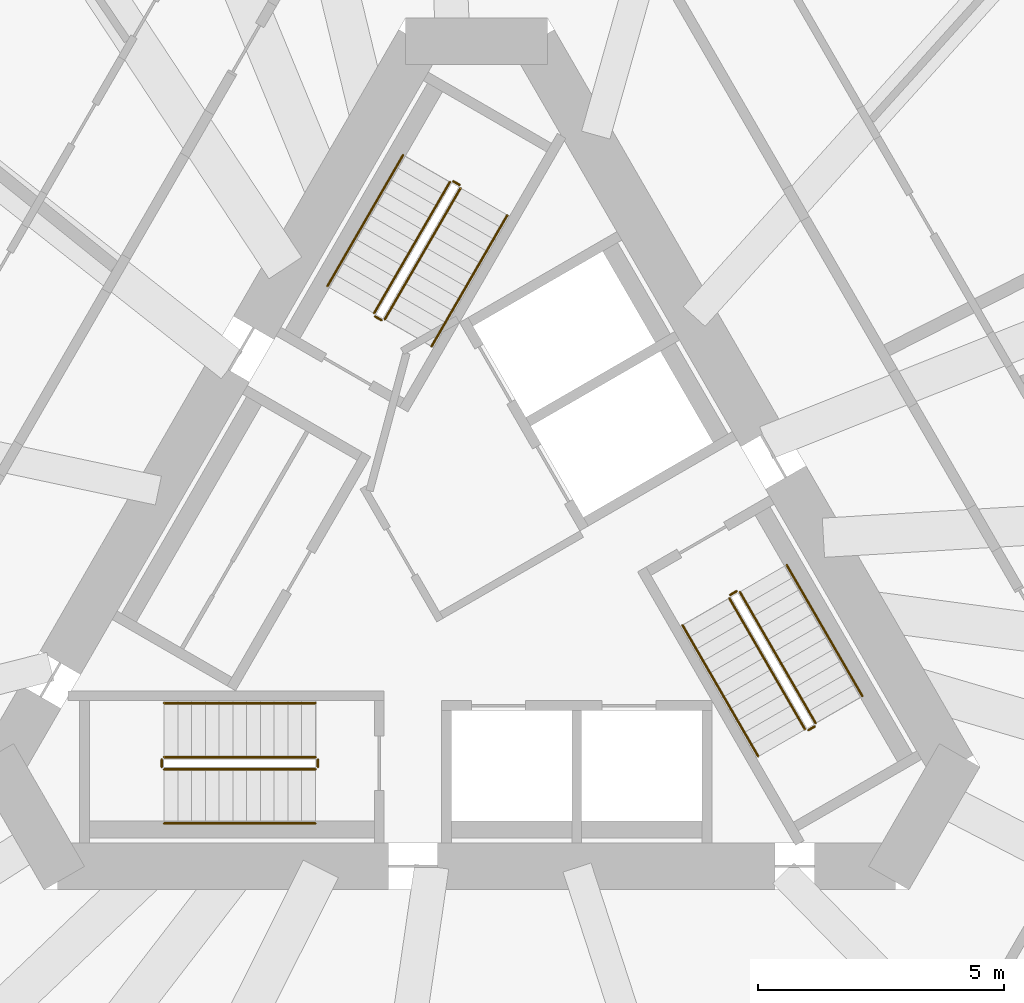
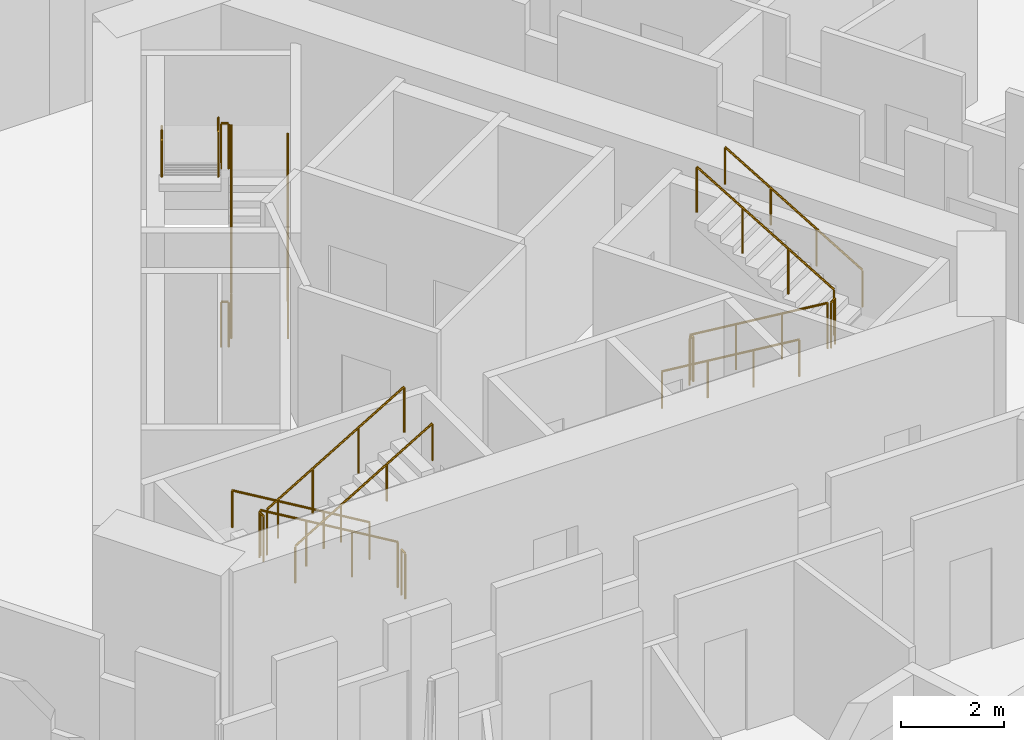
# One storey, part 12 of 13: 18 railings.
"""IFC4 building model written with IfcOpenShell, lengths in metres."""

from ifc_helpers import new_model, si_unit, direction, frame, origin, origin_2d, place, context, subcontext, project, spatial, circle, extrude, material, type_object, element, save


model = new_model("IFC4")

# Units and contexts
model_context = context("Model", 3, precision=1e-05, world=origin(), true_north=direction((0.0, 1.0)))
body_context = subcontext(model_context, "Body", "Model", "MODEL_VIEW")
ifc_project = project(units=[si_unit("LENGTHUNIT", "METRE"), si_unit("AREAUNIT", "SQUARE_METRE"), si_unit("VOLUMEUNIT", "CUBIC_METRE"), si_unit("PLANEANGLEUNIT", "RADIAN"), si_unit("MASSUNIT", "GRAM", prefix="KILO")], contexts=[model_context])

# Site, building, storey
site_placement = place(None, origin())
site = spatial("IfcSite", under=ifc_project, at=site_placement, CompositionType="ELEMENT")
building_placement = place(site_placement, origin())
building = spatial("IfcBuilding", under=site, at=building_placement, Name="Tramontana Tower", CompositionType="ELEMENT")
storey_placement = place(building_placement, frame((0.0, 0.0, 116.39990234375)))
storey = spatial("IfcBuildingStorey", under=building, at=storey_placement, Name="L26", CompositionType="ELEMENT", Elevation=116.39990234375)

# Railings
ifc_material_1 = material(Name="Painted steel", Category="steel")
railing_type_1 = type_object("IfcRailingType", Name="STAIR GUARD 1100", PredefinedType="GUARDRAIL", material=ifc_material_1)
railing_1_placement = place(storey_placement, frame((-1.867431640625, 4.865478515625, 0.166748046875)))
element("IfcRailing", 1, at=railing_1_placement, inside=storey, type_object=railing_type_1, Name="L26 ST1 stair guard 1", PredefinedType="GUARDRAIL", context=body_context, shape_type="SweptSolid", body=[
    extrude(circle(Radius=0.02392578125, at=origin_2d()), frame((0.0, 0.0, 1.076171875), z_axis=(0.429649414936, 0.744189839504, 0.511451721109), x_axis=(-0.866029832698, 0.499992328818, 0.0)), (0.0, 0.0, 1.0), 3.58447265625),
    extrude(circle(Radius=0.02099609375, at=origin_2d()), origin(), (0.0, 0.0, 1.0), 1.052001953125),
    extrude(circle(Radius=0.02099609375, at=origin_2d()), frame((0.513427734375, 0.88916015625, 0.611083984375)), (0.0, 0.0, 1.0), 1.052001953125),
    extrude(circle(Radius=0.02099609375, at=origin_2d()), frame((1.026611328125, 1.7783203125, 1.22216796875)), (0.0, 0.0, 1.0), 1.052001953125),
    extrude(circle(Radius=0.02099609375, at=origin_2d()), frame((1.5400390625, 2.66748046875, 1.833251953125)), (0.0, 0.0, 1.0), 1.052001953125),
])
railing_2_placement = place(storey_placement, frame((-0.5439453125, 7.657958984375, 2.166748046875)))
element("IfcRailing", 2, at=railing_2_placement, inside=storey, type_object=railing_type_1, Name="L26 ST1 stair guard 2", PredefinedType="GUARDRAIL", context=body_context, shape_type="SweptSolid", body=[
    extrude(circle(Radius=0.02392578125, at=origin_2d()), frame((0.0, 0.0, 1.076171875), z_axis=(-0.429649414936, -0.744189839504, 0.511451721109), x_axis=(0.866029832698, -0.499992328818, 0.0)), (0.0, 0.0, 1.0), 3.58447265625),
    extrude(circle(Radius=0.02099609375, at=origin_2d()), origin(), (0.0, 0.0, 1.0), 1.052001953125),
    extrude(circle(Radius=0.02099609375, at=origin_2d()), frame((-0.513427734375, -0.88916015625, 0.611083984375)), (0.0, 0.0, 1.0), 1.052001953125),
    extrude(circle(Radius=0.02099609375, at=origin_2d()), frame((-1.026611328125, -1.7783203125, 1.22216796875)), (0.0, 0.0, 1.0), 1.052001953125),
    extrude(circle(Radius=0.02099609375, at=origin_2d()), frame((-1.5400390625, -2.66748046875, 1.833251953125)), (0.0, 0.0, 1.0), 1.052001953125),
])
railing_3_placement = place(storey_placement, frame((-0.345703125, 7.601318359375, 2.0)))
element("IfcRailing", 3, at=railing_3_placement, inside=storey, type_object=railing_type_1, Name="L26 ST1 stair guard 3", PredefinedType="GUARDRAIL", context=body_context, shape_type="SweptSolid", body=[
    extrude(circle(Radius=0.02392578125, at=origin_2d()), frame((0.0, 0.0, 1.076171875), z_axis=(-0.866131372301, 0.499816412211, 0.0), x_axis=(-0.499816412211, -0.866131372301, 0.0)), (0.0, 0.0, 1.0), 0.14990234375),
    extrude(circle(Radius=0.02099609375, at=origin_2d()), origin(), (0.0, 0.0, 1.0), 1.052001953125),
    extrude(circle(Radius=0.02099609375, at=origin_2d()), frame((-0.1298828125, 0.074951171875, 0.0)), (0.0, 0.0, 1.0), 1.052001953125),
])
railing_4_placement = place(storey_placement, frame((-1.935791015625, 4.84716796875, 0.0)))
element("IfcRailing", 4, at=railing_4_placement, inside=storey, type_object=railing_type_1, Name="L26 ST1 stair guard 4", PredefinedType="GUARDRAIL", context=body_context, shape_type="SweptSolid", body=[
    extrude(circle(Radius=0.02392578125, at=origin_2d()), frame((0.0, 0.0, 1.076171875), z_axis=(-0.865426285481, 0.501036270542, 0.0), x_axis=(-0.501036270542, -0.865426285481, 0.0)), (0.0, 0.0, 1.0), 0.150146484375),
    extrude(circle(Radius=0.02099609375, at=origin_2d()), origin(), (0.0, 0.0, 1.0), 1.052001953125),
    extrude(circle(Radius=0.02099609375, at=origin_2d()), frame((-0.1298828125, 0.0751953125, 0.0)), (0.0, 0.0, 1.0), 1.052001953125),
])
railing_5_placement = place(storey_placement, frame((-3.280029296875, -4.050048828125, 0.166748046875)))
element("IfcRailing", 5, at=railing_5_placement, inside=storey, type_object=railing_type_1, Name="L26 ST2 stair guard 1", PredefinedType="GUARDRAIL", context=body_context, shape_type="SweptSolid", body=[
    extrude(circle(Radius=0.02392578125, at=origin_2d()), frame((0.0, 0.0, 1.076171875), z_axis=(-0.859308565015, 0.0, 0.511457515432), x_axis=(0.0, -1.0, 0.0)), (0.0, 0.0, 1.0), 3.58447265625),
    extrude(circle(Radius=0.02099609375, at=origin_2d()), origin(), (0.0, 0.0, 1.0), 1.052001953125),
    extrude(circle(Radius=0.02099609375, at=origin_2d()), frame((-1.026611328125, 0.0, 0.611083984375)), (0.0, 0.0, 1.0), 1.052001953125),
    extrude(circle(Radius=0.02099609375, at=origin_2d()), frame((-2.053466796875, 0.0, 1.22216796875)), (0.0, 0.0, 1.0), 1.052001953125),
    extrude(circle(Radius=0.02099609375, at=origin_2d()), frame((-3.080078125, 0.0, 1.833251953125)), (0.0, 0.0, 1.0), 1.052001953125),
])
railing_6_placement = place(storey_placement, frame((-6.360107421875, -4.300048828125, 2.166748046875)))
element("IfcRailing", 6, at=railing_6_placement, inside=storey, type_object=railing_type_1, Name="L26 ST2 stair guard 2", PredefinedType="GUARDRAIL", context=body_context, shape_type="SweptSolid", body=[
    extrude(circle(Radius=0.02392578125, at=origin_2d()), frame((0.0, 0.0, 1.076171875), z_axis=(0.859308565015, 0.0, 0.511457515432), x_axis=(0.0, 1.0, 0.0)), (0.0, 0.0, 1.0), 3.58447265625),
    extrude(circle(Radius=0.02099609375, at=origin_2d()), origin(), (0.0, 0.0, 1.0), 1.052001953125),
    extrude(circle(Radius=0.02099609375, at=origin_2d()), frame((1.026611328125, 0.0, 0.611083984375)), (0.0, 0.0, 1.0), 1.052001953125),
    extrude(circle(Radius=0.02099609375, at=origin_2d()), frame((2.053466796875, 0.0, 1.22216796875)), (0.0, 0.0, 1.0), 1.052001953125),
    extrude(circle(Radius=0.02099609375, at=origin_2d()), frame((3.080078125, 0.0, 1.833251953125)), (0.0, 0.0, 1.0), 1.052001953125),
])
for number, where, name in (
    (7, (-6.409912109375, -4.10009765625, 2.0), "L26 ST2 stair guard 3"),
    (8, (-3.22998046875, -4.10009765625, 0.0), "L26 ST2 stair guard 4"),
):
    element("IfcRailing", number, at=place(storey_placement, frame(where)), inside=storey, type_object=railing_type_1, Name=name, PredefinedType="GUARDRAIL", context=body_context, shape_type="SweptSolid", body=[
        extrude(circle(Radius=0.02392578125, at=origin_2d()), frame((0.0, 0.0, 1.076171875), z_axis=(0.0, -1.0, 0.0), x_axis=(1.0, 0.0, 0.0)), (0.0, 0.0, 1.0), 0.14990234375),
        extrude(circle(Radius=0.02099609375, at=origin_2d()), origin(), (0.0, 0.0, 1.0), 1.052001953125),
        extrude(circle(Radius=0.02099609375, at=origin_2d()), frame((0.0, -0.14990234375, 0.0)), (0.0, 0.0, 1.0), 1.052001953125),
    ])
railing_7_placement = place(storey_placement, frame((5.1474609375, -0.815673828125, 0.166748046875)))
element("IfcRailing", 9, at=railing_7_placement, inside=storey, type_object=railing_type_1, Name="L26 ST3 stair guard 1", PredefinedType="GUARDRAIL", context=body_context, shape_type="SweptSolid", body=[
    extrude(circle(Radius=0.02392578125, at=origin_2d()), frame((0.0, 0.0, 1.076171875), z_axis=(0.429671193721, -0.744159446956, 0.511477646425), x_axis=(0.866010015463, 0.500026652407, 0.0)), (0.0, 0.0, 1.0), 3.584228515625),
    extrude(circle(Radius=0.02099609375, at=origin_2d()), origin(), (0.0, 0.0, 1.0), 1.052001953125),
    extrude(circle(Radius=0.02099609375, at=origin_2d()), frame((0.513427734375, -0.88916015625, 0.611083984375)), (0.0, 0.0, 1.0), 1.052001953125),
    extrude(circle(Radius=0.02099609375, at=origin_2d()), frame((1.026611328125, -1.778076171875, 1.22216796875)), (0.0, 0.0, 1.0), 1.052001953125),
    extrude(circle(Radius=0.02099609375, at=origin_2d()), frame((1.5400390625, -2.667236328125, 1.833251953125)), (0.0, 0.0, 1.0), 1.052001953125),
])
railing_8_placement = place(storey_placement, frame((6.90380859375, -3.35791015625, 2.166748046875)))
element("IfcRailing", 10, at=railing_8_placement, inside=storey, type_object=railing_type_1, Name="L26 ST3 stair guard 2", PredefinedType="GUARDRAIL", context=body_context, shape_type="SweptSolid", body=[
    extrude(circle(Radius=0.02392578125, at=origin_2d()), frame((0.0, 0.0, 1.076171875), z_axis=(-0.429615651263, 0.74418122563, 0.511492615401), x_axis=(-0.866044340336, -0.499967199496, 0.0)), (0.0, 0.0, 1.0), 3.584228515625),
    extrude(circle(Radius=0.02099609375, at=origin_2d()), origin(), (0.0, 0.0, 1.0), 1.052001953125),
    extrude(circle(Radius=0.02099609375, at=origin_2d()), frame((-0.51318359375, 0.88916015625, 0.611083984375)), (0.0, 0.0, 1.0), 1.052001953125),
    extrude(circle(Radius=0.02099609375, at=origin_2d()), frame((-1.026611328125, 1.778076171875, 1.22216796875)), (0.0, 0.0, 1.0), 1.052001953125),
    extrude(circle(Radius=0.02099609375, at=origin_2d()), frame((-1.539794921875, 2.667236328125, 1.833251953125)), (0.0, 0.0, 1.0), 1.052001953125),
])
for number, where, name in (
    (11, (6.755615234375, -3.501220703125, 2.0), "L26 ST3 stair guard 3"),
    (12, (5.165771484375, -0.747314453125, 0.0), "L26 ST3 stair guard 4"),
):
    element("IfcRailing", number, at=place(storey_placement, frame(where)), inside=storey, type_object=railing_type_1, Name=name, PredefinedType="GUARDRAIL", context=body_context, shape_type="SweptSolid", body=[
        extrude(circle(Radius=0.02392578125, at=origin_2d()), frame((0.0, 0.0, 1.076171875), z_axis=(0.866131372301, 0.499816412211, 0.0), x_axis=(-0.499816412211, 0.866131372301, 0.0)), (0.0, 0.0, 1.0), 0.14990234375),
        extrude(circle(Radius=0.02099609375, at=origin_2d()), origin(), (0.0, 0.0, 1.0), 1.052001953125),
        extrude(circle(Radius=0.02099609375, at=origin_2d()), frame((0.1298828125, 0.074951171875, 0.0)), (0.0, 0.0, 1.0), 1.052001953125),
    ])
ifc_material_2 = material(Name="Painted steel", Category="steel")
railing_type_2 = type_object("IfcRailingType", Name="STAIR HANDRAIL 900", PredefinedType="HANDRAIL", material=ifc_material_2)
railing_9_placement = place(storey_placement, frame((-0.914794921875, 4.315673828125, 0.166748046875)))
element("IfcRailing", 13, at=railing_9_placement, inside=storey, type_object=railing_type_2, Name="L26 ST1 stair handrail 1", PredefinedType="HANDRAIL", context=body_context, shape_type="SweptSolid", body=[
    extrude(circle(Radius=0.02392578125, at=origin_2d()), frame((0.0, 0.0, 0.8759765625), z_axis=(0.429671193721, 0.744159446956, 0.511477646425), x_axis=(-0.866010015463, 0.500026652407, 0.0)), (0.0, 0.0, 1.0), 3.584228515625),
    extrude(circle(Radius=0.02099609375, at=origin_2d()), origin(), (0.0, 0.0, 1.0), 0.851806640625),
    extrude(circle(Radius=0.02099609375, at=origin_2d()), frame((0.513427734375, 0.88916015625, 0.611083984375)), (0.0, 0.0, 1.0), 0.851806640625),
    extrude(circle(Radius=0.02099609375, at=origin_2d()), frame((1.026611328125, 1.778076171875, 1.22216796875)), (0.0, 0.0, 1.0), 0.851806640625),
    extrude(circle(Radius=0.02099609375, at=origin_2d()), frame((1.5400390625, 2.667236328125, 1.833251953125)), (0.0, 0.0, 1.0), 0.851806640625),
])
railing_10_placement = place(storey_placement, frame((-1.49658203125, 8.2080078125, 2.166748046875)))
element("IfcRailing", 14, at=railing_10_placement, inside=storey, type_object=railing_type_2, Name="L26 ST1 stair handrail 2", PredefinedType="HANDRAIL", context=body_context, shape_type="SweptSolid", body=[
    extrude(circle(Radius=0.02392578125, at=origin_2d()), frame((0.0, 0.0, 0.8759765625), z_axis=(-0.429649414936, -0.744189839504, 0.511451721109), x_axis=(0.866029832698, -0.499992328818, 0.0)), (0.0, 0.0, 1.0), 3.58447265625),
    extrude(circle(Radius=0.02099609375, at=origin_2d()), origin(), (0.0, 0.0, 1.0), 0.851806640625),
    extrude(circle(Radius=0.02099609375, at=origin_2d()), frame((-0.513427734375, -0.88916015625, 0.611083984375)), (0.0, 0.0, 1.0), 0.851806640625),
    extrude(circle(Radius=0.02099609375, at=origin_2d()), frame((-1.026611328125, -1.7783203125, 1.22216796875)), (0.0, 0.0, 1.0), 0.851806640625),
    extrude(circle(Radius=0.02099609375, at=origin_2d()), frame((-1.5400390625, -2.66748046875, 1.833251953125)), (0.0, 0.0, 1.0), 0.851806640625),
])
railing_11_placement = place(storey_placement, frame((-3.280029296875, -2.949951171875, 0.166748046875)))
element("IfcRailing", 15, at=railing_11_placement, inside=storey, type_object=railing_type_2, Name="L26 ST2 stair handrail 1", PredefinedType="HANDRAIL", context=body_context, shape_type="SweptSolid", body=[
    extrude(circle(Radius=0.02392578125, at=origin_2d()), frame((0.0, 0.0, 0.8759765625), z_axis=(-0.859308565015, 0.0, 0.511457515432), x_axis=(0.0, -1.0, 0.0)), (0.0, 0.0, 1.0), 3.58447265625),
    extrude(circle(Radius=0.02099609375, at=origin_2d()), origin(), (0.0, 0.0, 1.0), 0.851806640625),
    extrude(circle(Radius=0.02099609375, at=origin_2d()), frame((-1.026611328125, 0.0, 0.611083984375)), (0.0, 0.0, 1.0), 0.851806640625),
    extrude(circle(Radius=0.02099609375, at=origin_2d()), frame((-2.053466796875, 0.0, 1.22216796875)), (0.0, 0.0, 1.0), 0.851806640625),
    extrude(circle(Radius=0.02099609375, at=origin_2d()), frame((-3.080078125, 0.0, 1.833251953125)), (0.0, 0.0, 1.0), 0.851806640625),
])
railing_12_placement = place(storey_placement, frame((-6.360107421875, -5.39990234375, 2.166748046875)))
element("IfcRailing", 16, at=railing_12_placement, inside=storey, type_object=railing_type_2, Name="L26 ST2 stair handrail 2", PredefinedType="HANDRAIL", context=body_context, shape_type="SweptSolid", body=[
    extrude(circle(Radius=0.02392578125, at=origin_2d()), frame((0.0, 0.0, 0.8759765625), z_axis=(0.859308565015, 0.0, 0.511457515432), x_axis=(0.0, 1.0, 0.0)), (0.0, 0.0, 1.0), 3.58447265625),
    extrude(circle(Radius=0.02099609375, at=origin_2d()), origin(), (0.0, 0.0, 1.0), 0.851806640625),
    extrude(circle(Radius=0.02099609375, at=origin_2d()), frame((1.026611328125, 0.0, 0.611083984375)), (0.0, 0.0, 1.0), 0.851806640625),
    extrude(circle(Radius=0.02099609375, at=origin_2d()), frame((2.053466796875, 0.0, 1.22216796875)), (0.0, 0.0, 1.0), 0.851806640625),
    extrude(circle(Radius=0.02099609375, at=origin_2d()), frame((3.080078125, 0.0, 1.833251953125)), (0.0, 0.0, 1.0), 0.851806640625),
])
railing_13_placement = place(storey_placement, frame((4.19482421875, -1.365478515625, 0.166748046875)))
element("IfcRailing", 17, at=railing_13_placement, inside=storey, type_object=railing_type_2, Name="L26 ST3 stair handrail 1", PredefinedType="HANDRAIL", context=body_context, shape_type="SweptSolid", body=[
    extrude(circle(Radius=0.02392578125, at=origin_2d()), frame((0.0, 0.0, 0.8759765625), z_axis=(0.429649414936, -0.744189839504, 0.511451721109), x_axis=(0.866029832698, 0.499992328818, 0.0)), (0.0, 0.0, 1.0), 3.58447265625),
    extrude(circle(Radius=0.02099609375, at=origin_2d()), origin(), (0.0, 0.0, 1.0), 0.851806640625),
    extrude(circle(Radius=0.02099609375, at=origin_2d()), frame((0.513427734375, -0.88916015625, 0.611083984375)), (0.0, 0.0, 1.0), 0.851806640625),
    extrude(circle(Radius=0.02099609375, at=origin_2d()), frame((1.026611328125, -1.7783203125, 1.22216796875)), (0.0, 0.0, 1.0), 0.851806640625),
    extrude(circle(Radius=0.02099609375, at=origin_2d()), frame((1.5400390625, -2.66748046875, 1.833251953125)), (0.0, 0.0, 1.0), 0.851806640625),
])
railing_14_placement = place(storey_placement, frame((7.8564453125, -2.807861328125, 2.166748046875)))
element("IfcRailing", 18, at=railing_14_placement, inside=storey, type_object=railing_type_2, Name="L26 ST3 stair handrail 2", PredefinedType="HANDRAIL", context=body_context, shape_type="SweptSolid", body=[
    extrude(circle(Radius=0.02392578125, at=origin_2d()), frame((0.0, 0.0, 0.8759765625), z_axis=(-0.429615651263, 0.74418122563, 0.511492615401), x_axis=(-0.866044340336, -0.499967199496, 0.0)), (0.0, 0.0, 1.0), 3.584228515625),
    extrude(circle(Radius=0.02099609375, at=origin_2d()), origin(), (0.0, 0.0, 1.0), 0.851806640625),
    extrude(circle(Radius=0.02099609375, at=origin_2d()), frame((-0.51318359375, 0.88916015625, 0.611083984375)), (0.0, 0.0, 1.0), 0.851806640625),
    extrude(circle(Radius=0.02099609375, at=origin_2d()), frame((-1.026611328125, 1.778076171875, 1.22216796875)), (0.0, 0.0, 1.0), 0.851806640625),
    extrude(circle(Radius=0.02099609375, at=origin_2d()), frame((-1.539794921875, 2.667236328125, 1.833251953125)), (0.0, 0.0, 1.0), 0.851806640625),
])

save(model, "model.ifc")
